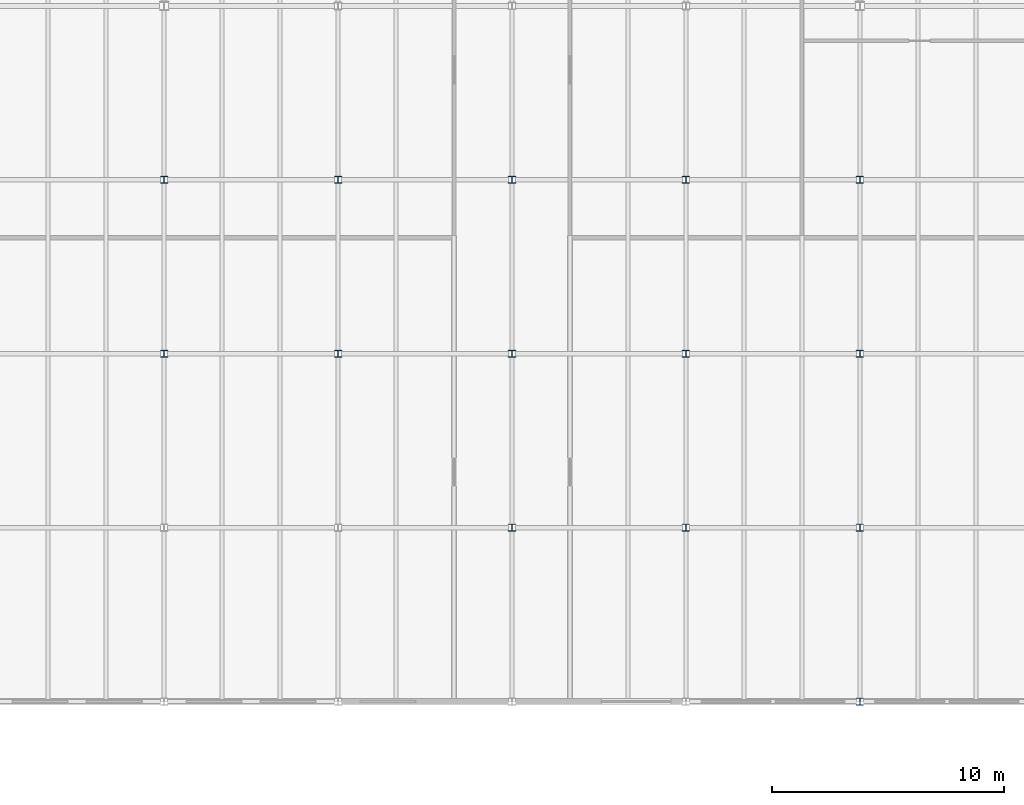
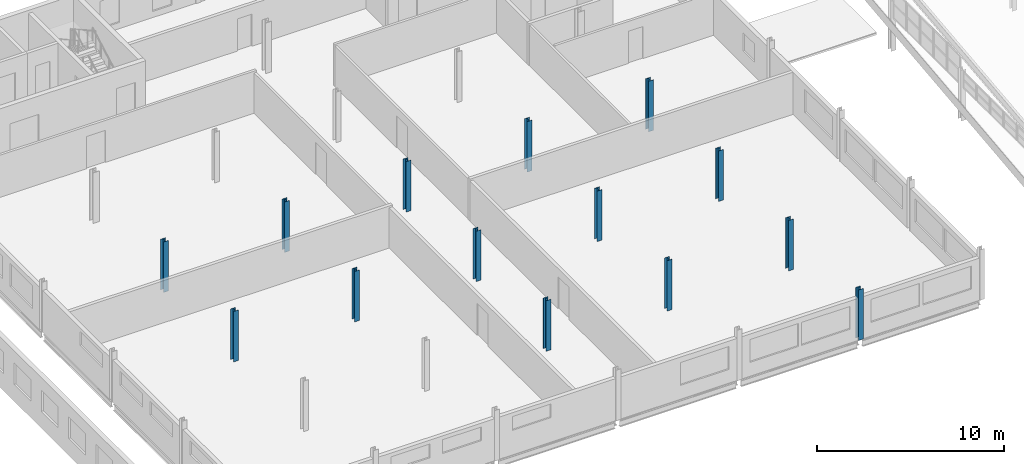
# One storey, part 6 of 199: 14 columns.
"""IFC4 building model written with IfcOpenShell, lengths in metres."""

from ifc_helpers import new_model, si_unit, direction, frame, origin, origin_2d, place, context, subcontext, project, spatial, i_section, extrude, material, material_profile, profile_set, type_object, element, save


model = new_model("IFC4")

# Units and contexts
model_context = context("Model", 3, precision=1e-05, world=origin(), true_north=direction((0.0, 1.0)))
body_context = subcontext(model_context, "Body", "Model", "MODEL_VIEW")
ifc_project = project(units=[si_unit("LENGTHUNIT", "METRE"), si_unit("AREAUNIT", "SQUARE_METRE"), si_unit("VOLUMEUNIT", "CUBIC_METRE"), si_unit("PLANEANGLEUNIT", "RADIAN"), si_unit("MASSUNIT", "GRAM", prefix="KILO")], contexts=[model_context])

# Site, building, storey
site_placement = place(None, origin())
site = spatial("IfcSite", under=ifc_project, at=site_placement, CompositionType="ELEMENT")
building_placement = place(site_placement, origin())
building = spatial("IfcBuilding", under=site, at=building_placement, Name="Parallax Yard Mobility Hub", CompositionType="ELEMENT")
storey_placement = place(building_placement, frame((0.0, 0.0, 9.89990234375)))
storey = spatial("IfcBuildingStorey", under=building, at=storey_placement, Name="L03", CompositionType="ELEMENT", Elevation=9.89990234375)

# Columns
ifc_material = material(Name="Steel ASTM A992", Category="steel")
ifc_material_profile = material_profile(ifc_material, i_section(OverallWidth=0.304931640625, OverallDepth=0.306884765625, WebThickness=0.010009765625, FlangeThickness=0.015380859375, FilletRadius=0.01513671875, at=origin_2d()), Name="W310x97")
ifc_profile_set = profile_set([ifc_material_profile], Name="Steel ASTM A992")
column_type = type_object("IfcColumnType", Name="W310x97 column", PredefinedType="COLUMN", material=ifc_profile_set)
for number, where, z_axis, x_axis, name in (
    (1, (105.0, 22.5, 0.0), (0.0, 0.0, 1.0), (1.0, 0.0, 0.0), "Column C1 level L03 at D/15 of mobility service centre and workshops"),
    (2, (105.0, 30.0, 0.0), (0.0, 0.0, 1.0), (1.0, 0.0, 0.0), "Column C1 level L03 at E/15 of mobility service centre and workshops"),
    (3, (112.5, 22.5, 0.0), (0.0, 0.0, 1.0), (1.0, 0.0, 0.0), "Column C1 level L03 at D/16 of mobility service centre and workshops"),
    (4, (112.5, 30.0, 0.0), (0.0, 0.0, 1.0), (1.0, 0.0, 0.0), "Column C1 level L03 at E/16 of mobility service centre and workshops"),
    (5, (120.0, 15.0, 0.0), (0.0, 0.0, 1.0), (1.0, 0.0, 0.0), "Column C1 level L03 at C/17 of mobility service centre and workshops"),
    (6, (120.0, 22.5, 0.0), (0.0, 0.0, 1.0), (1.0, 0.0, 0.0), "Column C1 level L03 at D/17 of mobility service centre and workshops"),
    (7, (120.0, 30.0, 0.0), (0.0, 0.0, 1.0), (1.0, 0.0, 0.0), "Column C1 level L03 at E/17 of mobility service centre and workshops"),
    (8, (127.5, 15.0, 0.0), (0.0, 0.0, 1.0), (1.0, 0.0, 0.0), "Column C1 level L03 at C/18 of mobility service centre and workshops"),
    (9, (127.5, 22.5, 0.0), (0.0, 0.0, 1.0), (1.0, 0.0, 0.0), "Column C1 level L03 at D/18 of mobility service centre and workshops"),
    (10, (127.5, 30.0, 0.0), (0.0, 0.0, 1.0), (1.0, 0.0, 0.0), "Column C1 level L03 at E/18 of mobility service centre and workshops"),
    (11, (135.0, 7.5, 0.0), (0.0, 0.0, 1.0), (1.0, 0.0, 0.0), "Column C1 level L03 at B/19 of mobility service centre and workshops"),
    (12, (135.0, 15.0, 0.0), (0.0, 0.0, 1.0), (1.0, 0.0, 0.0), "Column C1 level L03 at C/19 of mobility service centre and workshops"),
    (13, (135.0, 22.5, 0.0), (0.0, 0.0, 1.0), (1.0, 0.0, 0.0), "Column C1 level L03 at D/19 of mobility service centre and workshops"),
    (14, (135.0, 30.0, 0.0), (0.0, 0.0, 1.0), (1.0, 0.0, 0.0), "Column C1 level L03 at E/19 of mobility service centre and workshops"),
):
    element("IfcColumn", number, at=place(storey_placement, frame(where, z_axis=z_axis, x_axis=x_axis)), inside=storey, type_object=column_type, Name=name, PredefinedType="COLUMN", context=body_context, shape_type="SweptSolid", body=[
        extrude(i_section(OverallWidth=0.304931640625, OverallDepth=0.306884765625, WebThickness=0.010009765625, FlangeThickness=0.015380859375, FilletRadius=0.01513671875, at=origin_2d()), origin(), (0.0, 0.0, 1.0), 3.300048828125),
    ])

save(model, "model.ifc")
